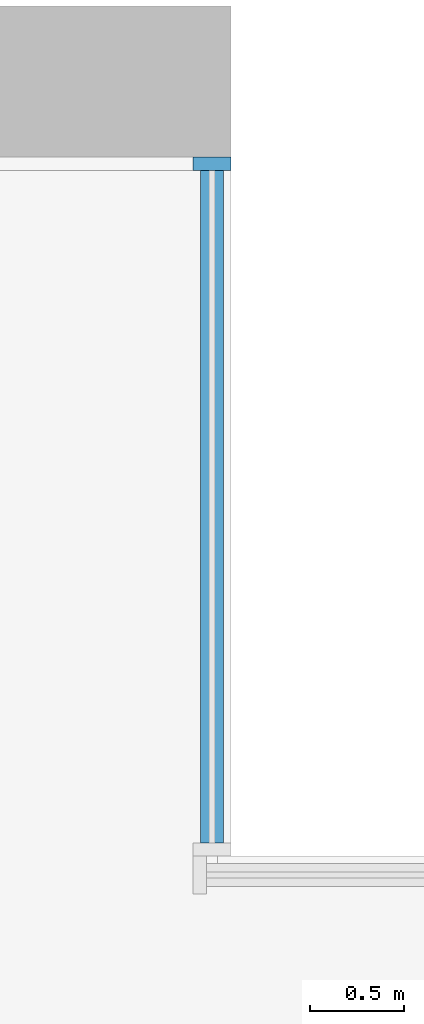
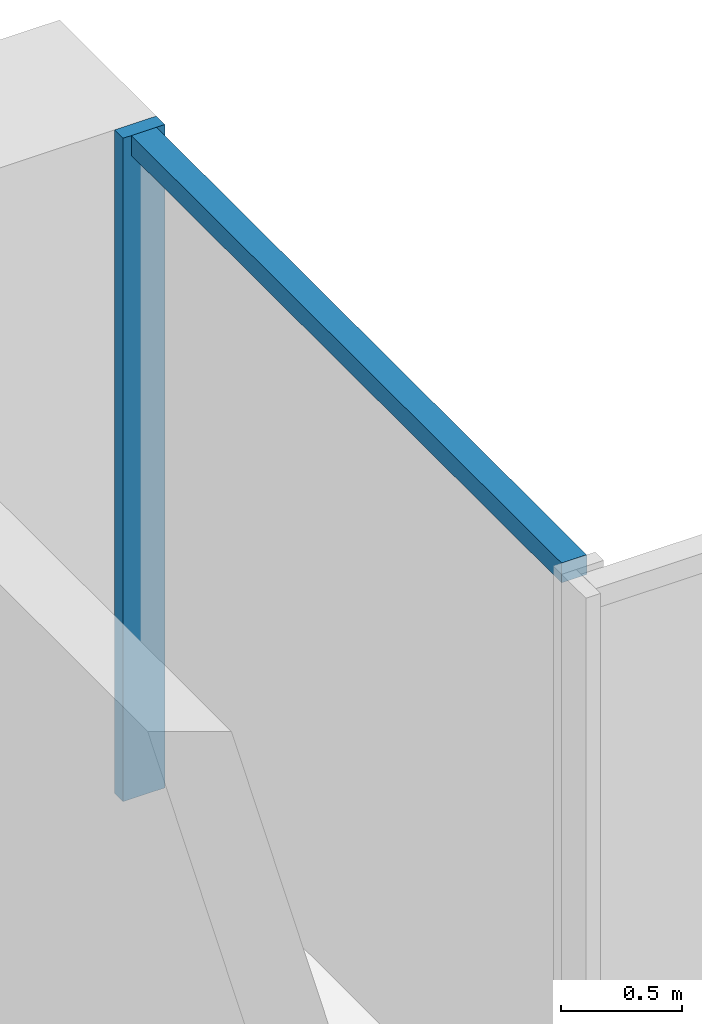
# One storey, part 6 of 17: 2 members, 1 element without a shape of its own.
"""IFC4 building model written with IfcOpenShell, lengths in metres."""

from ifc_helpers import new_model, si_unit, direction, frame, origin, origin_2d, place, context, subcontext, project, spatial, rectangle, extrude, material, material_profile, profile_set, type_object, element, aggregate, save


model = new_model("IFC4")

# Units and contexts
model_context = context("Model", 3, precision=1e-05, world=origin(), true_north=direction((0.0, 1.0)))
body_context = subcontext(model_context, "Body", "Model", "MODEL_VIEW")
ifc_project = project(units=[si_unit("LENGTHUNIT", "METRE"), si_unit("AREAUNIT", "SQUARE_METRE"), si_unit("VOLUMEUNIT", "CUBIC_METRE"), si_unit("PLANEANGLEUNIT", "RADIAN"), si_unit("MASSUNIT", "GRAM", prefix="KILO")], contexts=[model_context])

# Site, building, storey
site_placement = place(None, origin())
site = spatial("IfcSite", under=ifc_project, at=site_placement, CompositionType="ELEMENT")
building_placement = place(site_placement, origin())
building = spatial("IfcBuilding", under=site, at=building_placement, Name="Calvaro Tower", CompositionType="ELEMENT")
storey_placement = place(building_placement, frame((0.0, 0.0, 102.5)))
storey = spatial("IfcBuildingStorey", under=building, at=storey_placement, Name="L25", CompositionType="ELEMENT", Elevation=102.5)

# Curtain wall, members
ifc_material_1 = material(Name="Anodised aluminium", Category="aluminium")
curtain_wall_type = type_object("IfcCurtainWallType", Name="Office curtain wall, middle zone", PredefinedType="NOTDEFINED", material=ifc_material_1)
curtain_wall_placement = place(storey_placement, origin())
curtain_wall = element("IfcCurtainWall", 1, at=curtain_wall_placement, inside=storey, type_object=curtain_wall_type, Name="CW2 corner curtain wall", PredefinedType="NOTDEFINED")
ifc_material_2 = material(Name="Anodised aluminium", Category="aluminium")
ifc_material_profile_1 = material_profile(ifc_material_2, rectangle(XDim=0.199951171875, YDim=0.070068359375, at=origin_2d()), Name="Mullion S2 70 x 200")
ifc_profile_set_1 = profile_set([ifc_material_profile_1], Name="Anodised aluminium")
member_type_1 = type_object("IfcMemberType", Name="Mullion S2 70 x 200", PredefinedType="MULLION", material=ifc_profile_set_1)
member_1_placement = place(storey_placement, frame((66.35009765625, 45.1650390625, 0.0), z_axis=(0.0, 0.0, 1.0), x_axis=(-1.0, 0.0, 0.0)))
member_1 = element("IfcMember", 2, at=member_1_placement, type_object=member_type_1, Name="CW2 mullion 2", PredefinedType="MULLION", context=body_context, shape_type="SweptSolid", body=[
    extrude(rectangle(XDim=0.199951171875, YDim=0.070068359375, at=origin_2d()), origin(), (0.0, 0.0, 1.0), 3.35009765625),
])
ifc_material_3 = material(Name="Anodised aluminium", Category="aluminium")
ifc_material_profile_2 = material_profile(ifc_material_3, rectangle(XDim=0.1201171875, YDim=0.10009765625, at=origin_2d()), Name="Transom S2 100 x 120")
ifc_profile_set_2 = profile_set([ifc_material_profile_2], Name="Anodised aluminium")
member_type_2 = type_object("IfcMemberType", Name="Transom S2 100 x 120", PredefinedType="USERDEFINED", material=ifc_profile_set_2)
member_2_placement = place(storey_placement, frame((66.35009765625, 41.570068359375, 3.300048828125), z_axis=(0.0, 1.0, 0.0), x_axis=(-1.0, 0.0, 0.0)))
member_2 = element("IfcMember", 3, at=member_2_placement, type_object=member_type_2, Name="CW2 transom 1.1", ObjectType="TRANSOM", PredefinedType="USERDEFINED", context=body_context, shape_type="SweptSolid", body=[
    extrude(rectangle(XDim=0.1201171875, YDim=0.10009765625, at=origin_2d()), origin(), (0.0, 0.0, 1.0), 3.559814453125),
])
aggregate(curtain_wall, [member_1, member_2])

save(model, "model.ifc")
